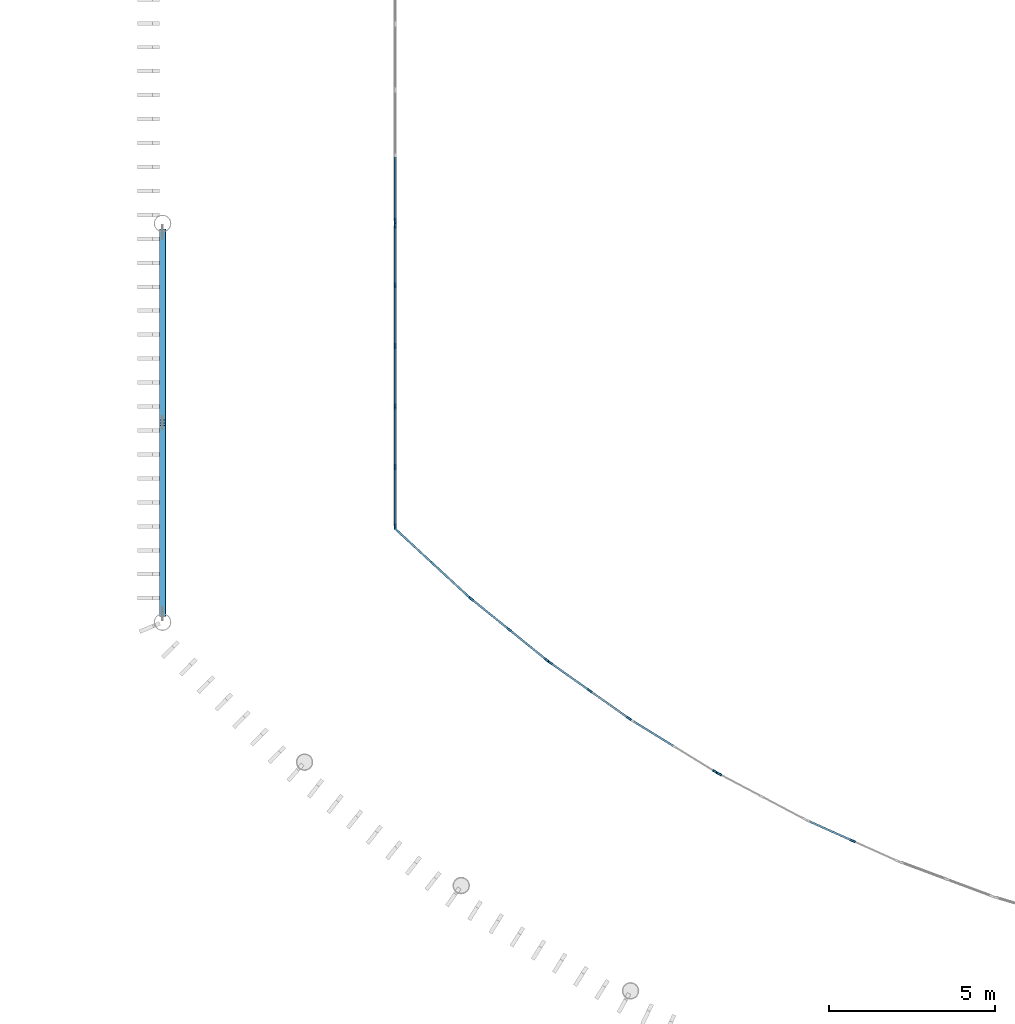
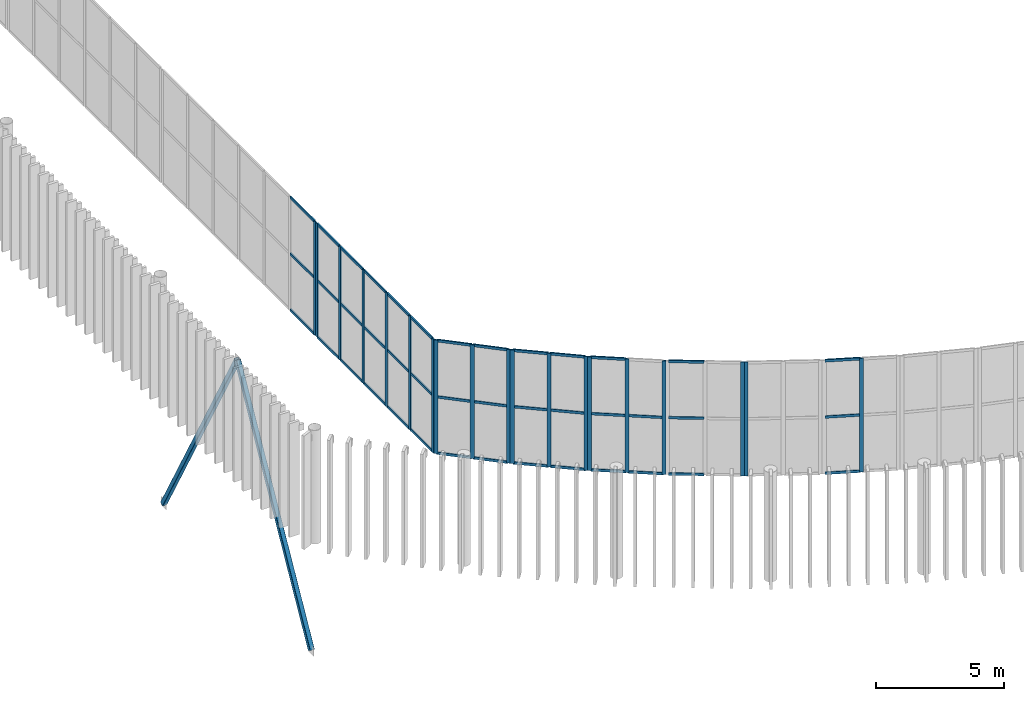
# One storey, part 34 of 170: 62 members, 8 elements without a shape of their own.
"""IFC4 building model written with IfcOpenShell, lengths in metres."""

from ifc_helpers import new_model, si_unit, direction, frame, origin, origin_2d, place, context, subcontext, project, spatial, rectangle, hollow_rectangle, extrude, material, layer, layer_set, material_profile, profile_set, type_object, element, aggregate, save


model = new_model("IFC4")

# Units and contexts
model_context = context("Model", 3, precision=1e-05, world=origin(), true_north=direction((0.0, 1.0)))
body_context = subcontext(model_context, "Body", "Model", "MODEL_VIEW")
ifc_project = project(units=[si_unit("LENGTHUNIT", "METRE"), si_unit("AREAUNIT", "SQUARE_METRE"), si_unit("VOLUMEUNIT", "CUBIC_METRE"), si_unit("PLANEANGLEUNIT", "RADIAN"), si_unit("MASSUNIT", "GRAM", prefix="KILO")], contexts=[model_context])

# Site, building, storey
site_placement = place(None, origin())
site = spatial("IfcSite", under=ifc_project, at=site_placement, CompositionType="ELEMENT")
building_placement = place(site_placement, origin())
building = spatial("IfcBuilding", under=site, at=building_placement, Name="Ravi Spectrum Wholesale Market", CompositionType="ELEMENT")
storey_placement = place(building_placement, frame((0.0, 0.0, 5.39990234375)))
storey = spatial("IfcBuildingStorey", under=building, at=storey_placement, Name="L01", CompositionType="ELEMENT", Elevation=5.39990234375)

# Curtain wall, members
ifc_material_1 = material(Name="Aluminium 6063-T6", Category="aluminium")
ifc_layer = layer(ifc_material_1, 0.14990234375)
ifc_layer_set = layer_set([ifc_layer], Name="Aluminium 6063-T6")
curtain_wall_type = type_object("IfcCurtainWallType", Name="Curtain wall 150", PredefinedType="NOTDEFINED", material=ifc_layer_set)
curtain_wall_1_placement = place(storey_placement, origin())
curtain_wall_1 = element("IfcCurtainWall", 1, at=curtain_wall_1_placement, inside=storey, type_object=curtain_wall_type, Name="H1-CW-L01-001", PredefinedType="NOTDEFINED")
ifc_material_2 = material(Name="Aluminium 6063-T6", Category="aluminium")
ifc_material_profile_1 = material_profile(ifc_material_2, rectangle(XDim=0.06005859375, YDim=0.159912109375, at=origin_2d()))
ifc_profile_set_1 = profile_set([ifc_material_profile_1], Name="Aluminium 6063-T6")
member_type_1 = type_object("IfcMemberType", Name="Mullion 60 x 160", PredefinedType="MULLION", material=ifc_profile_set_1)
member_1_placement = place(storey_placement, frame((37.0, 32.88037109375, 0.0), z_axis=(0.0, 0.0, 1.0), x_axis=(-1.0, 0.0, 0.0)))
member_1 = element("IfcMember", 2, at=member_1_placement, type_object=member_type_1, Name="H1-CW-L01-001 mullion 1", PredefinedType="MULLION", context=body_context, shape_type="SweptSolid", body=[
    extrude(rectangle(XDim=0.06005859375, YDim=0.159912109375, at=origin_2d()), origin(), (0.0, 0.0, 1.0), 5.400146484375),
])
member_2_placement = place(storey_placement, frame((37.0, 34.67236328125, 0.0), z_axis=(0.0, 0.0, 1.0), x_axis=(-1.0, 0.0, 0.0)))
member_2 = element("IfcMember", 3, at=member_2_placement, type_object=member_type_1, Name="H1-CW-L01-001 mullion 2", PredefinedType="MULLION", context=body_context, shape_type="SweptSolid", body=[
    extrude(rectangle(XDim=0.06005859375, YDim=0.159912109375, at=origin_2d()), origin(), (0.0, 0.0, 1.0), 5.400146484375),
])
member_3_placement = place(storey_placement, frame((37.0, 36.494140625, 0.0), z_axis=(0.0, 0.0, 1.0), x_axis=(-1.0, 0.0, 0.0)))
member_3 = element("IfcMember", 4, at=member_3_placement, type_object=member_type_1, Name="H1-CW-L01-001 mullion 3", PredefinedType="MULLION", context=body_context, shape_type="SweptSolid", body=[
    extrude(rectangle(XDim=0.06005859375, YDim=0.159912109375, at=origin_2d()), origin(), (0.0, 0.0, 1.0), 5.400146484375),
])
member_4_placement = place(storey_placement, frame((37.0, 38.316162109375, 0.0), z_axis=(0.0, 0.0, 1.0), x_axis=(-1.0, 0.0, 0.0)))
member_4 = element("IfcMember", 5, at=member_4_placement, type_object=member_type_1, Name="H1-CW-L01-001 mullion 4", PredefinedType="MULLION", context=body_context, shape_type="SweptSolid", body=[
    extrude(rectangle(XDim=0.06005859375, YDim=0.159912109375, at=origin_2d()), origin(), (0.0, 0.0, 1.0), 5.400146484375),
])
member_5_placement = place(storey_placement, frame((37.0, 40.13818359375, 0.0), z_axis=(0.0, 0.0, 1.0), x_axis=(-1.0, 0.0, 0.0)))
member_5 = element("IfcMember", 6, at=member_5_placement, type_object=member_type_1, Name="H1-CW-L01-001 mullion 5", PredefinedType="MULLION", context=body_context, shape_type="SweptSolid", body=[
    extrude(rectangle(XDim=0.06005859375, YDim=0.159912109375, at=origin_2d()), origin(), (0.0, 0.0, 1.0), 5.400146484375),
])
member_6_placement = place(storey_placement, frame((37.0, 41.929931640625, 0.0), z_axis=(0.0, 0.0, 1.0), x_axis=(-1.0, 0.0, 0.0)))
member_6 = element("IfcMember", 7, at=member_6_placement, type_object=member_type_1, Name="H1-CW-L01-001 mullion 6", PredefinedType="MULLION", context=body_context, shape_type="SweptSolid", body=[
    extrude(rectangle(XDim=0.06005859375, YDim=0.159912109375, at=origin_2d()), origin(), (0.0, 0.0, 1.0), 5.400146484375),
])

# Curtain wall, member
curtain_wall_2_placement = place(storey_placement, origin())
curtain_wall_2 = element("IfcCurtainWall", 8, at=curtain_wall_2_placement, inside=storey, type_object=curtain_wall_type, Name="H1-CW-L01-002", PredefinedType="NOTDEFINED")
member_7_placement = place(storey_placement, frame((37.0, 42.070068359375, 0.0), z_axis=(0.0, 0.0, 1.0), x_axis=(-1.0, 0.0, 0.0)))
member_7 = element("IfcMember", 9, at=member_7_placement, type_object=member_type_1, Name="H1-CW-L01-002 mullion 1", PredefinedType="MULLION", context=body_context, shape_type="SweptSolid", body=[
    extrude(rectangle(XDim=0.06005859375, YDim=0.159912109375, at=origin_2d()), origin(), (0.0, 0.0, 1.0), 5.400146484375),
])

# Curtain wall, members
curtain_wall_3_placement = place(storey_placement, origin())
curtain_wall_3 = element("IfcCurtainWall", 10, at=curtain_wall_3_placement, inside=storey, type_object=curtain_wall_type, Name="H1-CW-L01-029", PredefinedType="NOTDEFINED")
member_8_placement = place(storey_placement, frame((37.051513671875, 32.7626953125, 0.0), z_axis=(0.0, 0.0, 1.0), x_axis=(0.678668834663, 0.734444424621, 0.0)))
member_8 = element("IfcMember", 11, at=member_8_placement, type_object=member_type_1, Name="H1-CW-L01-029 mullion 1", PredefinedType="MULLION", context=body_context, shape_type="SweptSolid", body=[
    extrude(rectangle(XDim=0.06005859375, YDim=0.159912109375, at=origin_2d()), origin(), (0.0, 0.0, 1.0), 5.400146484375),
])
member_9_placement = place(storey_placement, frame((38.119384765625, 31.77587890625, 0.0), z_axis=(0.0, 0.0, 1.0), x_axis=(0.678668834663, 0.734444424621, 0.0)))
member_9 = element("IfcMember", 12, at=member_9_placement, type_object=member_type_1, Name="H1-CW-L01-029 mullion 2", PredefinedType="MULLION", context=body_context, shape_type="SweptSolid", body=[
    extrude(rectangle(XDim=0.06005859375, YDim=0.159912109375, at=origin_2d()), origin(), (0.0, 0.0, 1.0), 5.400146484375),
])
member_10_placement = place(storey_placement, frame((39.187255859375, 30.7890625, 0.0), z_axis=(0.0, 0.0, 1.0), x_axis=(0.678668834663, 0.734444424621, 0.0)))
member_10 = element("IfcMember", 13, at=member_10_placement, type_object=member_type_1, Name="H1-CW-L01-029 mullion 3", PredefinedType="MULLION", context=body_context, shape_type="SweptSolid", body=[
    extrude(rectangle(XDim=0.06005859375, YDim=0.159912109375, at=origin_2d()), origin(), (0.0, 0.0, 1.0), 5.400146484375),
])

curtain_wall_4_placement = place(storey_placement, origin())
curtain_wall_4 = element("IfcCurtainWall", 14, at=curtain_wall_4_placement, inside=storey, type_object=curtain_wall_type, Name="H1-CW-L01-030", PredefinedType="NOTDEFINED")
member_11_placement = place(storey_placement, frame((39.29296875, 30.697509765625, 0.0), z_axis=(0.0, 0.0, 1.0), x_axis=(0.629635182408, 0.776890942844, 0.0)))
member_11 = element("IfcMember", 15, at=member_11_placement, type_object=member_type_1, Name="H1-CW-L01-030 mullion 1", PredefinedType="MULLION", context=body_context, shape_type="SweptSolid", body=[
    extrude(rectangle(XDim=0.06005859375, YDim=0.159912109375, at=origin_2d()), origin(), (0.0, 0.0, 1.0), 5.400146484375),
])
member_12_placement = place(storey_placement, frame((40.422607421875, 29.781982421875, 0.0), z_axis=(0.0, 0.0, 1.0), x_axis=(0.629635182408, 0.776890942844, 0.0)))
member_12 = element("IfcMember", 16, at=member_12_placement, type_object=member_type_1, Name="H1-CW-L01-030 mullion 2", PredefinedType="MULLION", context=body_context, shape_type="SweptSolid", body=[
    extrude(rectangle(XDim=0.06005859375, YDim=0.159912109375, at=origin_2d()), origin(), (0.0, 0.0, 1.0), 5.400146484375),
])
member_13_placement = place(storey_placement, frame((41.55224609375, 28.866455078125, 0.0), z_axis=(0.0, 0.0, 1.0), x_axis=(0.629635182408, 0.776890942844, 0.0)))
member_13 = element("IfcMember", 17, at=member_13_placement, type_object=member_type_1, Name="H1-CW-L01-030 mullion 3", PredefinedType="MULLION", context=body_context, shape_type="SweptSolid", body=[
    extrude(rectangle(XDim=0.06005859375, YDim=0.159912109375, at=origin_2d()), origin(), (0.0, 0.0, 1.0), 5.400146484375),
])

curtain_wall_5_placement = place(storey_placement, origin())
curtain_wall_5 = element("IfcCurtainWall", 18, at=curtain_wall_5_placement, inside=storey, type_object=curtain_wall_type, Name="H1-CW-L01-031", PredefinedType="NOTDEFINED")
member_14_placement = place(storey_placement, frame((41.663818359375, 28.781982421875, 0.0), z_axis=(0.0, 0.0, 1.0), x_axis=(0.57795328048, 0.816069853372, 0.0)))
member_14 = element("IfcMember", 19, at=member_14_placement, type_object=member_type_1, Name="H1-CW-L01-031 mullion 1", PredefinedType="MULLION", context=body_context, shape_type="SweptSolid", body=[
    extrude(rectangle(XDim=0.06005859375, YDim=0.159912109375, at=origin_2d()), origin(), (0.0, 0.0, 1.0), 5.400146484375),
])
member_15_placement = place(storey_placement, frame((42.8505859375, 27.941650390625, 0.0), z_axis=(0.0, 0.0, 1.0), x_axis=(0.57795328048, 0.816069853372, 0.0)))
member_15 = element("IfcMember", 20, at=member_15_placement, type_object=member_type_1, Name="H1-CW-L01-031 mullion 2", PredefinedType="MULLION", context=body_context, shape_type="SweptSolid", body=[
    extrude(rectangle(XDim=0.06005859375, YDim=0.159912109375, at=origin_2d()), origin(), (0.0, 0.0, 1.0), 5.400146484375),
])
member_16_placement = place(storey_placement, frame((44.037109375, 27.101318359375, 0.0), z_axis=(0.0, 0.0, 1.0), x_axis=(0.57795328048, 0.816069853372, 0.0)))
member_16 = element("IfcMember", 21, at=member_16_placement, type_object=member_type_1, Name="H1-CW-L01-031 mullion 3", PredefinedType="MULLION", context=body_context, shape_type="SweptSolid", body=[
    extrude(rectangle(XDim=0.06005859375, YDim=0.159912109375, at=origin_2d()), origin(), (0.0, 0.0, 1.0), 5.400146484375),
])

# Curtain wall, member
curtain_wall_6_placement = place(storey_placement, origin())
curtain_wall_6 = element("IfcCurtainWall", 22, at=curtain_wall_6_placement, inside=storey, type_object=curtain_wall_type, Name="H1-CW-L01-032", PredefinedType="NOTDEFINED")
member_17_placement = place(storey_placement, frame((46.631103515625, 25.500732421875, 0.0), z_axis=(0.0, 0.0, 1.0), x_axis=(0.523840503785, 0.851816369057, 0.0)))
member_17 = element("IfcMember", 23, at=member_17_placement, type_object=member_type_1, Name="H1-CW-L01-032 mullion 3", PredefinedType="MULLION", context=body_context, shape_type="SweptSolid", body=[
    extrude(rectangle(XDim=0.06005859375, YDim=0.159912109375, at=origin_2d()), origin(), (0.0, 0.0, 1.0), 5.400146484375),
])

curtain_wall_7_placement = place(storey_placement, origin())
curtain_wall_7 = element("IfcCurtainWall", 24, at=curtain_wall_7_placement, inside=storey, type_object=curtain_wall_type, Name="H1-CW-L01-033", PredefinedType="NOTDEFINED")
member_18_placement = place(storey_placement, frame((46.75244140625, 25.431396484375, 0.0), z_axis=(0.0, 0.0, 1.0), x_axis=(0.467524450919, 0.883980139931, 0.0)))
member_18 = element("IfcMember", 25, at=member_18_placement, type_object=member_type_1, Name="H1-CW-L01-033 mullion 1", PredefinedType="MULLION", context=body_context, shape_type="SweptSolid", body=[
    extrude(rectangle(XDim=0.06005859375, YDim=0.159912109375, at=origin_2d()), origin(), (0.0, 0.0, 1.0), 5.400146484375),
])
aggregate(curtain_wall_7, [member_18])

curtain_wall_8_placement = place(storey_placement, origin())
curtain_wall_8 = element("IfcCurtainWall", 26, at=curtain_wall_8_placement, inside=storey, type_object=curtain_wall_type, Name="H1-CW-L01-034", PredefinedType="NOTDEFINED")
member_19_placement = place(storey_placement, frame((50.775634765625, 23.415283203125, 0.0), z_axis=(0.0, 0.0, 1.0), x_axis=(0.409241987534, 0.912425885012, 0.0)))
member_19 = element("IfcMember", 27, at=member_19_placement, type_object=member_type_1, Name="H1-CW-L01-034 mullion 2", PredefinedType="MULLION", context=body_context, shape_type="SweptSolid", body=[
    extrude(rectangle(XDim=0.06005859375, YDim=0.159912109375, at=origin_2d()), origin(), (0.0, 0.0, 1.0), 5.400146484375),
])

# Members
ifc_material_3 = material(Name="Steel S355", Category="steel")
ifc_material_profile_2 = material_profile(ifc_material_3, hollow_rectangle(XDim=0.199951171875, YDim=0.199951171875, WallThickness=0.008056640625, InnerFilletRadius=0.008056640625, OuterFilletRadius=0.01611328125, at=origin_2d()))
ifc_profile_set_2 = profile_set([ifc_material_profile_2], Name="Steel S355")
member_type_2 = type_object("IfcMemberType", Name="SHS 200x200x8 brace", PredefinedType="BRACE", material=ifc_profile_set_2)
for number, where, z_axis, x_axis, name in (
    (28, (30.0, 30.25390625, -5.350830078125), (0.0, 0.487151805571, 0.873317306784), (-1.0, 0.0, 0.0), "H1-MB-L01-001"),
    (29, (30.0, 41.74609375, -5.350830078125), (0.0, -0.487151805571, 0.873317306784), (1.0, 0.0, 0.0), "H1-MB-L01-002"),
):
    element("IfcMember", number, at=place(storey_placement, frame(where, z_axis=z_axis, x_axis=x_axis)), inside=storey, type_object=member_type_2, Name=name, PredefinedType="BRACE", context=body_context, shape_type="SweptSolid", body=[
        extrude(hollow_rectangle(XDim=0.199951171875, YDim=0.199951171875, WallThickness=0.008056640625, InnerFilletRadius=0.008056640625, OuterFilletRadius=0.01611328125, at=origin_2d()), origin(), (0.0, 0.0, 1.0), 11.795166015625),
    ])

# Member
ifc_material_4 = material(Name="Aluminium 6063-T6", Category="aluminium")
ifc_material_profile_3 = material_profile(ifc_material_4, rectangle(XDim=0.06005859375, YDim=0.1201171875, at=origin_2d()))
ifc_profile_set_3 = profile_set([ifc_material_profile_3], Name="Aluminium 6063-T6")
member_type_3 = type_object("IfcMemberType", Name="Transom 60 x 120", PredefinedType="USERDEFINED", material=ifc_profile_set_3)
member_20_placement = place(storey_placement, frame((37.0, 32.910400390625, 0.030029296875), z_axis=(0.0, 1.0, 0.0), x_axis=(-1.0, 0.0, 0.0)))
member_20 = element("IfcMember", 30, at=member_20_placement, type_object=member_type_3, Name="H1-CW-L01-001 transom 1.1", ObjectType="TRANSOM", PredefinedType="USERDEFINED", context=body_context, shape_type="SweptSolid", body=[
    extrude(rectangle(XDim=0.06005859375, YDim=0.1201171875, at=origin_2d()), origin(), (0.0, 0.0, 1.0), 1.73193359375),
])

member_21_placement = place(storey_placement, frame((37.0, 32.910400390625, 2.7001953125), z_axis=(0.0, 1.0, 0.0), x_axis=(-1.0, 0.0, 0.0)))
member_21 = element("IfcMember", 31, at=member_21_placement, type_object=member_type_3, Name="H1-CW-L01-001 transom 1.2", ObjectType="TRANSOM", PredefinedType="USERDEFINED", context=body_context, shape_type="SweptSolid", body=[
    extrude(rectangle(XDim=0.06005859375, YDim=0.1201171875, at=origin_2d()), origin(), (0.0, 0.0, 1.0), 1.73193359375),
])

member_22_placement = place(storey_placement, frame((37.0, 32.910400390625, 5.3701171875), z_axis=(0.0, 1.0, 0.0), x_axis=(-1.0, 0.0, 0.0)))
member_22 = element("IfcMember", 32, at=member_22_placement, type_object=member_type_3, Name="H1-CW-L01-001 transom 1.3", ObjectType="TRANSOM", PredefinedType="USERDEFINED", context=body_context, shape_type="SweptSolid", body=[
    extrude(rectangle(XDim=0.06005859375, YDim=0.1201171875, at=origin_2d()), origin(), (0.0, 0.0, 1.0), 1.73193359375),
])

member_23_placement = place(storey_placement, frame((37.0, 34.7021484375, 0.030029296875), z_axis=(0.0, 1.0, 0.0), x_axis=(-1.0, 0.0, 0.0)))
member_23 = element("IfcMember", 33, at=member_23_placement, type_object=member_type_3, Name="H1-CW-L01-001 transom 2.1", ObjectType="TRANSOM", PredefinedType="USERDEFINED", context=body_context, shape_type="SweptSolid", body=[
    extrude(rectangle(XDim=0.06005859375, YDim=0.1201171875, at=origin_2d()), origin(), (0.0, 0.0, 1.0), 1.761962890625),
])

member_24_placement = place(storey_placement, frame((37.0, 34.7021484375, 2.7001953125), z_axis=(0.0, 1.0, 0.0), x_axis=(-1.0, 0.0, 0.0)))
member_24 = element("IfcMember", 34, at=member_24_placement, type_object=member_type_3, Name="H1-CW-L01-001 transom 2.2", ObjectType="TRANSOM", PredefinedType="USERDEFINED", context=body_context, shape_type="SweptSolid", body=[
    extrude(rectangle(XDim=0.06005859375, YDim=0.1201171875, at=origin_2d()), origin(), (0.0, 0.0, 1.0), 1.761962890625),
])

member_25_placement = place(storey_placement, frame((37.0, 34.7021484375, 5.3701171875), z_axis=(0.0, 1.0, 0.0), x_axis=(-1.0, 0.0, 0.0)))
member_25 = element("IfcMember", 35, at=member_25_placement, type_object=member_type_3, Name="H1-CW-L01-001 transom 2.3", ObjectType="TRANSOM", PredefinedType="USERDEFINED", context=body_context, shape_type="SweptSolid", body=[
    extrude(rectangle(XDim=0.06005859375, YDim=0.1201171875, at=origin_2d()), origin(), (0.0, 0.0, 1.0), 1.761962890625),
])

member_26_placement = place(storey_placement, frame((37.0, 36.524169921875, 0.030029296875), z_axis=(0.0, 1.0, 0.0), x_axis=(-1.0, 0.0, 0.0)))
member_26 = element("IfcMember", 36, at=member_26_placement, type_object=member_type_3, Name="H1-CW-L01-001 transom 3.1", ObjectType="TRANSOM", PredefinedType="USERDEFINED", context=body_context, shape_type="SweptSolid", body=[
    extrude(rectangle(XDim=0.06005859375, YDim=0.1201171875, at=origin_2d()), origin(), (0.0, 0.0, 1.0), 1.761962890625),
])

member_27_placement = place(storey_placement, frame((37.0, 36.524169921875, 2.7001953125), z_axis=(0.0, 1.0, 0.0), x_axis=(-1.0, 0.0, 0.0)))
member_27 = element("IfcMember", 37, at=member_27_placement, type_object=member_type_3, Name="H1-CW-L01-001 transom 3.2", ObjectType="TRANSOM", PredefinedType="USERDEFINED", context=body_context, shape_type="SweptSolid", body=[
    extrude(rectangle(XDim=0.06005859375, YDim=0.1201171875, at=origin_2d()), origin(), (0.0, 0.0, 1.0), 1.761962890625),
])

member_28_placement = place(storey_placement, frame((37.0, 36.524169921875, 5.3701171875), z_axis=(0.0, 1.0, 0.0), x_axis=(-1.0, 0.0, 0.0)))
member_28 = element("IfcMember", 38, at=member_28_placement, type_object=member_type_3, Name="H1-CW-L01-001 transom 3.3", ObjectType="TRANSOM", PredefinedType="USERDEFINED", context=body_context, shape_type="SweptSolid", body=[
    extrude(rectangle(XDim=0.06005859375, YDim=0.1201171875, at=origin_2d()), origin(), (0.0, 0.0, 1.0), 1.761962890625),
])

member_29_placement = place(storey_placement, frame((37.0, 38.34619140625, 0.030029296875), z_axis=(0.0, 1.0, 0.0), x_axis=(-1.0, 0.0, 0.0)))
member_29 = element("IfcMember", 39, at=member_29_placement, type_object=member_type_3, Name="H1-CW-L01-001 transom 4.1", ObjectType="TRANSOM", PredefinedType="USERDEFINED", context=body_context, shape_type="SweptSolid", body=[
    extrude(rectangle(XDim=0.06005859375, YDim=0.1201171875, at=origin_2d()), origin(), (0.0, 0.0, 1.0), 1.761962890625),
])

member_30_placement = place(storey_placement, frame((37.0, 38.34619140625, 2.7001953125), z_axis=(0.0, 1.0, 0.0), x_axis=(-1.0, 0.0, 0.0)))
member_30 = element("IfcMember", 40, at=member_30_placement, type_object=member_type_3, Name="H1-CW-L01-001 transom 4.2", ObjectType="TRANSOM", PredefinedType="USERDEFINED", context=body_context, shape_type="SweptSolid", body=[
    extrude(rectangle(XDim=0.06005859375, YDim=0.1201171875, at=origin_2d()), origin(), (0.0, 0.0, 1.0), 1.761962890625),
])

member_31_placement = place(storey_placement, frame((37.0, 38.34619140625, 5.3701171875), z_axis=(0.0, 1.0, 0.0), x_axis=(-1.0, 0.0, 0.0)))
member_31 = element("IfcMember", 41, at=member_31_placement, type_object=member_type_3, Name="H1-CW-L01-001 transom 4.3", ObjectType="TRANSOM", PredefinedType="USERDEFINED", context=body_context, shape_type="SweptSolid", body=[
    extrude(rectangle(XDim=0.06005859375, YDim=0.1201171875, at=origin_2d()), origin(), (0.0, 0.0, 1.0), 1.761962890625),
])

member_32_placement = place(storey_placement, frame((37.0, 40.16796875, 0.030029296875), z_axis=(0.0, 1.0, 0.0), x_axis=(-1.0, 0.0, 0.0)))
member_32 = element("IfcMember", 42, at=member_32_placement, type_object=member_type_3, Name="H1-CW-L01-001 transom 5.1", ObjectType="TRANSOM", PredefinedType="USERDEFINED", context=body_context, shape_type="SweptSolid", body=[
    extrude(rectangle(XDim=0.06005859375, YDim=0.1201171875, at=origin_2d()), origin(), (0.0, 0.0, 1.0), 1.73193359375),
])

member_33_placement = place(storey_placement, frame((37.0, 40.16796875, 2.7001953125), z_axis=(0.0, 1.0, 0.0), x_axis=(-1.0, 0.0, 0.0)))
member_33 = element("IfcMember", 43, at=member_33_placement, type_object=member_type_3, Name="H1-CW-L01-001 transom 5.2", ObjectType="TRANSOM", PredefinedType="USERDEFINED", context=body_context, shape_type="SweptSolid", body=[
    extrude(rectangle(XDim=0.06005859375, YDim=0.1201171875, at=origin_2d()), origin(), (0.0, 0.0, 1.0), 1.73193359375),
])

member_34_placement = place(storey_placement, frame((37.0, 40.16796875, 5.3701171875), z_axis=(0.0, 1.0, 0.0), x_axis=(-1.0, 0.0, 0.0)))
member_34 = element("IfcMember", 44, at=member_34_placement, type_object=member_type_3, Name="H1-CW-L01-001 transom 5.3", ObjectType="TRANSOM", PredefinedType="USERDEFINED", context=body_context, shape_type="SweptSolid", body=[
    extrude(rectangle(XDim=0.06005859375, YDim=0.1201171875, at=origin_2d()), origin(), (0.0, 0.0, 1.0), 1.73193359375),
])

aggregate(curtain_wall_1, [member_1, member_2, member_3, member_4, member_5, member_6, member_20, member_21, member_22, member_23, member_24, member_25, member_26, member_27, member_28, member_29, member_30, member_31, member_32, member_33, member_34])

member_35_placement = place(storey_placement, frame((37.0, 42.10009765625, 0.030029296875), z_axis=(0.0, 1.0, 0.0), x_axis=(-1.0, 0.0, 0.0)))
member_35 = element("IfcMember", 45, at=member_35_placement, type_object=member_type_3, Name="H1-CW-L01-002 transom 1.1", ObjectType="TRANSOM", PredefinedType="USERDEFINED", context=body_context, shape_type="SweptSolid", body=[
    extrude(rectangle(XDim=0.06005859375, YDim=0.1201171875, at=origin_2d()), origin(), (0.0, 0.0, 1.0), 1.896484375),
])

member_36_placement = place(storey_placement, frame((37.0, 42.10009765625, 2.7001953125), z_axis=(0.0, 1.0, 0.0), x_axis=(-1.0, 0.0, 0.0)))
member_36 = element("IfcMember", 46, at=member_36_placement, type_object=member_type_3, Name="H1-CW-L01-002 transom 1.2", ObjectType="TRANSOM", PredefinedType="USERDEFINED", context=body_context, shape_type="SweptSolid", body=[
    extrude(rectangle(XDim=0.06005859375, YDim=0.1201171875, at=origin_2d()), origin(), (0.0, 0.0, 1.0), 1.896484375),
])

member_37_placement = place(storey_placement, frame((37.0, 42.10009765625, 5.3701171875), z_axis=(0.0, 1.0, 0.0), x_axis=(-1.0, 0.0, 0.0)))
member_37 = element("IfcMember", 47, at=member_37_placement, type_object=member_type_3, Name="H1-CW-L01-002 transom 1.3", ObjectType="TRANSOM", PredefinedType="USERDEFINED", context=body_context, shape_type="SweptSolid", body=[
    extrude(rectangle(XDim=0.06005859375, YDim=0.1201171875, at=origin_2d()), origin(), (0.0, 0.0, 1.0), 1.896484375),
])

aggregate(curtain_wall_2, [member_7, member_35, member_36, member_37])

member_38_placement = place(storey_placement, frame((37.073486328125, 32.742431640625, 0.030029296875), z_axis=(0.734487798578, -0.678621893059, 0.0), x_axis=(0.678621893059, 0.734487798578, 0.0)))
member_38 = element("IfcMember", 48, at=member_38_placement, type_object=member_type_3, Name="H1-CW-L01-029 transom 1.1", ObjectType="TRANSOM", PredefinedType="USERDEFINED", context=body_context, shape_type="SweptSolid", body=[
    extrude(rectangle(XDim=0.06005859375, YDim=0.1201171875, at=origin_2d()), origin(), (0.0, 0.0, 1.0), 1.39404296875),
])

member_39_placement = place(storey_placement, frame((37.073486328125, 32.742431640625, 2.7001953125), z_axis=(0.734487798578, -0.678621893059, 0.0), x_axis=(0.678621893059, 0.734487798578, 0.0)))
member_39 = element("IfcMember", 49, at=member_39_placement, type_object=member_type_3, Name="H1-CW-L01-029 transom 1.2", ObjectType="TRANSOM", PredefinedType="USERDEFINED", context=body_context, shape_type="SweptSolid", body=[
    extrude(rectangle(XDim=0.06005859375, YDim=0.1201171875, at=origin_2d()), origin(), (0.0, 0.0, 1.0), 1.39404296875),
])

member_40_placement = place(storey_placement, frame((37.073486328125, 32.742431640625, 5.3701171875), z_axis=(0.734487798578, -0.678621893059, 0.0), x_axis=(0.678621893059, 0.734487798578, 0.0)))
member_40 = element("IfcMember", 50, at=member_40_placement, type_object=member_type_3, Name="H1-CW-L01-029 transom 1.3", ObjectType="TRANSOM", PredefinedType="USERDEFINED", context=body_context, shape_type="SweptSolid", body=[
    extrude(rectangle(XDim=0.06005859375, YDim=0.1201171875, at=origin_2d()), origin(), (0.0, 0.0, 1.0), 1.39404296875),
])

member_41_placement = place(storey_placement, frame((38.141357421875, 31.755615234375, 0.030029296875), z_axis=(0.734487798578, -0.678621893059, 0.0), x_axis=(0.678621893059, 0.734487798578, 0.0)))
member_41 = element("IfcMember", 51, at=member_41_placement, type_object=member_type_3, Name="H1-CW-L01-029 transom 2.1", ObjectType="TRANSOM", PredefinedType="USERDEFINED", context=body_context, shape_type="SweptSolid", body=[
    extrude(rectangle(XDim=0.06005859375, YDim=0.1201171875, at=origin_2d()), origin(), (0.0, 0.0, 1.0), 1.39404296875),
])

member_42_placement = place(storey_placement, frame((38.141357421875, 31.755615234375, 2.7001953125), z_axis=(0.734487798578, -0.678621893059, 0.0), x_axis=(0.678621893059, 0.734487798578, 0.0)))
member_42 = element("IfcMember", 52, at=member_42_placement, type_object=member_type_3, Name="H1-CW-L01-029 transom 2.2", ObjectType="TRANSOM", PredefinedType="USERDEFINED", context=body_context, shape_type="SweptSolid", body=[
    extrude(rectangle(XDim=0.06005859375, YDim=0.1201171875, at=origin_2d()), origin(), (0.0, 0.0, 1.0), 1.39404296875),
])

member_43_placement = place(storey_placement, frame((38.141357421875, 31.755615234375, 5.3701171875), z_axis=(0.734487798578, -0.678621893059, 0.0), x_axis=(0.678621893059, 0.734487798578, 0.0)))
member_43 = element("IfcMember", 53, at=member_43_placement, type_object=member_type_3, Name="H1-CW-L01-029 transom 2.3", ObjectType="TRANSOM", PredefinedType="USERDEFINED", context=body_context, shape_type="SweptSolid", body=[
    extrude(rectangle(XDim=0.06005859375, YDim=0.1201171875, at=origin_2d()), origin(), (0.0, 0.0, 1.0), 1.39404296875),
])

aggregate(curtain_wall_3, [member_8, member_9, member_10, member_38, member_39, member_40, member_41, member_42, member_43])

member_44_placement = place(storey_placement, frame((39.31640625, 30.6787109375, 0.030029296875), z_axis=(0.776906240638, -0.629616306378, 0.0), x_axis=(0.629616306378, 0.776906240638, 0.0)))
member_44 = element("IfcMember", 54, at=member_44_placement, type_object=member_type_3, Name="H1-CW-L01-030 transom 1.1", ObjectType="TRANSOM", PredefinedType="USERDEFINED", context=body_context, shape_type="SweptSolid", body=[
    extrude(rectangle(XDim=0.06005859375, YDim=0.1201171875, at=origin_2d()), origin(), (0.0, 0.0, 1.0), 1.39404296875),
])

member_45_placement = place(storey_placement, frame((39.31640625, 30.6787109375, 2.7001953125), z_axis=(0.776906240638, -0.629616306378, 0.0), x_axis=(0.629616306378, 0.776906240638, 0.0)))
member_45 = element("IfcMember", 55, at=member_45_placement, type_object=member_type_3, Name="H1-CW-L01-030 transom 1.2", ObjectType="TRANSOM", PredefinedType="USERDEFINED", context=body_context, shape_type="SweptSolid", body=[
    extrude(rectangle(XDim=0.06005859375, YDim=0.1201171875, at=origin_2d()), origin(), (0.0, 0.0, 1.0), 1.39404296875),
])

member_46_placement = place(storey_placement, frame((39.31640625, 30.6787109375, 5.3701171875), z_axis=(0.776906240638, -0.629616306378, 0.0), x_axis=(0.629616306378, 0.776906240638, 0.0)))
member_46 = element("IfcMember", 56, at=member_46_placement, type_object=member_type_3, Name="H1-CW-L01-030 transom 1.3", ObjectType="TRANSOM", PredefinedType="USERDEFINED", context=body_context, shape_type="SweptSolid", body=[
    extrude(rectangle(XDim=0.06005859375, YDim=0.1201171875, at=origin_2d()), origin(), (0.0, 0.0, 1.0), 1.39404296875),
])

member_47_placement = place(storey_placement, frame((40.446044921875, 29.76318359375, 0.030029296875), z_axis=(0.776906240638, -0.629616306378, 0.0), x_axis=(0.629616306378, 0.776906240638, 0.0)))
member_47 = element("IfcMember", 57, at=member_47_placement, type_object=member_type_3, Name="H1-CW-L01-030 transom 2.1", ObjectType="TRANSOM", PredefinedType="USERDEFINED", context=body_context, shape_type="SweptSolid", body=[
    extrude(rectangle(XDim=0.06005859375, YDim=0.1201171875, at=origin_2d()), origin(), (0.0, 0.0, 1.0), 1.39404296875),
])

member_48_placement = place(storey_placement, frame((40.446044921875, 29.76318359375, 2.7001953125), z_axis=(0.776906240638, -0.629616306378, 0.0), x_axis=(0.629616306378, 0.776906240638, 0.0)))
member_48 = element("IfcMember", 58, at=member_48_placement, type_object=member_type_3, Name="H1-CW-L01-030 transom 2.2", ObjectType="TRANSOM", PredefinedType="USERDEFINED", context=body_context, shape_type="SweptSolid", body=[
    extrude(rectangle(XDim=0.06005859375, YDim=0.1201171875, at=origin_2d()), origin(), (0.0, 0.0, 1.0), 1.39404296875),
])

member_49_placement = place(storey_placement, frame((40.446044921875, 29.76318359375, 5.3701171875), z_axis=(0.776906240638, -0.629616306378, 0.0), x_axis=(0.629616306378, 0.776906240638, 0.0)))
member_49 = element("IfcMember", 59, at=member_49_placement, type_object=member_type_3, Name="H1-CW-L01-030 transom 2.3", ObjectType="TRANSOM", PredefinedType="USERDEFINED", context=body_context, shape_type="SweptSolid", body=[
    extrude(rectangle(XDim=0.06005859375, YDim=0.1201171875, at=origin_2d()), origin(), (0.0, 0.0, 1.0), 1.39404296875),
])

aggregate(curtain_wall_4, [member_11, member_12, member_13, member_44, member_45, member_46, member_47, member_48, member_49])

member_50_placement = place(storey_placement, frame((41.688232421875, 28.7646484375, 0.030029296875), z_axis=(0.816093311487, -0.577920156203, 0.0), x_axis=(0.577920156203, 0.816093311487, 0.0)))
member_50 = element("IfcMember", 60, at=member_50_placement, type_object=member_type_3, Name="H1-CW-L01-031 transom 1.1", ObjectType="TRANSOM", PredefinedType="USERDEFINED", context=body_context, shape_type="SweptSolid", body=[
    extrude(rectangle(XDim=0.06005859375, YDim=0.1201171875, at=origin_2d()), origin(), (0.0, 0.0, 1.0), 1.39404296875),
])

member_51_placement = place(storey_placement, frame((41.688232421875, 28.7646484375, 2.7001953125), z_axis=(0.816093311487, -0.577920156203, 0.0), x_axis=(0.577920156203, 0.816093311487, 0.0)))
member_51 = element("IfcMember", 61, at=member_51_placement, type_object=member_type_3, Name="H1-CW-L01-031 transom 1.2", ObjectType="TRANSOM", PredefinedType="USERDEFINED", context=body_context, shape_type="SweptSolid", body=[
    extrude(rectangle(XDim=0.06005859375, YDim=0.1201171875, at=origin_2d()), origin(), (0.0, 0.0, 1.0), 1.39404296875),
])

member_52_placement = place(storey_placement, frame((41.688232421875, 28.7646484375, 5.3701171875), z_axis=(0.816093311487, -0.577920156203, 0.0), x_axis=(0.577920156203, 0.816093311487, 0.0)))
member_52 = element("IfcMember", 62, at=member_52_placement, type_object=member_type_3, Name="H1-CW-L01-031 transom 1.3", ObjectType="TRANSOM", PredefinedType="USERDEFINED", context=body_context, shape_type="SweptSolid", body=[
    extrude(rectangle(XDim=0.06005859375, YDim=0.1201171875, at=origin_2d()), origin(), (0.0, 0.0, 1.0), 1.39404296875),
])

member_53_placement = place(storey_placement, frame((42.875, 27.92431640625, 0.030029296875), z_axis=(0.816093311487, -0.577920156203, 0.0), x_axis=(0.577920156203, 0.816093311487, 0.0)))
member_53 = element("IfcMember", 63, at=member_53_placement, type_object=member_type_3, Name="H1-CW-L01-031 transom 2.1", ObjectType="TRANSOM", PredefinedType="USERDEFINED", context=body_context, shape_type="SweptSolid", body=[
    extrude(rectangle(XDim=0.06005859375, YDim=0.1201171875, at=origin_2d()), origin(), (0.0, 0.0, 1.0), 1.39404296875),
])

member_54_placement = place(storey_placement, frame((42.875, 27.92431640625, 2.7001953125), z_axis=(0.816093311487, -0.577920156203, 0.0), x_axis=(0.577920156203, 0.816093311487, 0.0)))
member_54 = element("IfcMember", 64, at=member_54_placement, type_object=member_type_3, Name="H1-CW-L01-031 transom 2.2", ObjectType="TRANSOM", PredefinedType="USERDEFINED", context=body_context, shape_type="SweptSolid", body=[
    extrude(rectangle(XDim=0.06005859375, YDim=0.1201171875, at=origin_2d()), origin(), (0.0, 0.0, 1.0), 1.39404296875),
])

aggregate(curtain_wall_5, [member_14, member_15, member_16, member_50, member_51, member_52, member_53, member_54])

member_55_placement = place(storey_placement, frame((44.179443359375, 27.00830078125, 0.030029296875), z_axis=(0.851832648, -0.523814031696, 0.0), x_axis=(0.523814031696, 0.851832648, 0.0)))
member_55 = element("IfcMember", 65, at=member_55_placement, type_object=member_type_3, Name="H1-CW-L01-032 transom 1.1", ObjectType="TRANSOM", PredefinedType="USERDEFINED", context=body_context, shape_type="SweptSolid", body=[
    extrude(rectangle(XDim=0.06005859375, YDim=0.1201171875, at=origin_2d()), origin(), (0.0, 0.0, 1.0), 1.39404296875),
])

member_56_placement = place(storey_placement, frame((44.179443359375, 27.00830078125, 2.7001953125), z_axis=(0.851832648, -0.523814031696, 0.0), x_axis=(0.523814031696, 0.851832648, 0.0)))
member_56 = element("IfcMember", 66, at=member_56_placement, type_object=member_type_3, Name="H1-CW-L01-032 transom 1.2", ObjectType="TRANSOM", PredefinedType="USERDEFINED", context=body_context, shape_type="SweptSolid", body=[
    extrude(rectangle(XDim=0.06005859375, YDim=0.1201171875, at=origin_2d()), origin(), (0.0, 0.0, 1.0), 1.39404296875),
])

member_57_placement = place(storey_placement, frame((44.179443359375, 27.00830078125, 5.3701171875), z_axis=(0.851832648, -0.523814031696, 0.0), x_axis=(0.523814031696, 0.851832648, 0.0)))
member_57 = element("IfcMember", 67, at=member_57_placement, type_object=member_type_3, Name="H1-CW-L01-032 transom 1.3", ObjectType="TRANSOM", PredefinedType="USERDEFINED", context=body_context, shape_type="SweptSolid", body=[
    extrude(rectangle(XDim=0.06005859375, YDim=0.1201171875, at=origin_2d()), origin(), (0.0, 0.0, 1.0), 1.39404296875),
])

aggregate(curtain_wall_6, [member_17, member_55, member_56, member_57])

member_58_placement = place(storey_placement, frame((49.476318359375, 23.998046875, 0.030029296875), z_axis=(0.912412372098, -0.409272113933, 0.0), x_axis=(0.409272113933, 0.912412372098, 0.0)))
member_58 = element("IfcMember", 68, at=member_58_placement, type_object=member_type_3, Name="H1-CW-L01-034 transom 1.1", ObjectType="TRANSOM", PredefinedType="USERDEFINED", context=body_context, shape_type="SweptSolid", body=[
    extrude(rectangle(XDim=0.06005859375, YDim=0.1201171875, at=origin_2d()), origin(), (0.0, 0.0, 1.0), 1.39404296875),
])

member_59_placement = place(storey_placement, frame((49.476318359375, 23.998046875, 2.7001953125), z_axis=(0.912412372098, -0.409272113933, 0.0), x_axis=(0.409272113933, 0.912412372098, 0.0)))
member_59 = element("IfcMember", 69, at=member_59_placement, type_object=member_type_3, Name="H1-CW-L01-034 transom 1.2", ObjectType="TRANSOM", PredefinedType="USERDEFINED", context=body_context, shape_type="SweptSolid", body=[
    extrude(rectangle(XDim=0.06005859375, YDim=0.1201171875, at=origin_2d()), origin(), (0.0, 0.0, 1.0), 1.39404296875),
])

member_60_placement = place(storey_placement, frame((49.476318359375, 23.998046875, 5.3701171875), z_axis=(0.912412372098, -0.409272113933, 0.0), x_axis=(0.409272113933, 0.912412372098, 0.0)))
member_60 = element("IfcMember", 70, at=member_60_placement, type_object=member_type_3, Name="H1-CW-L01-034 transom 1.3", ObjectType="TRANSOM", PredefinedType="USERDEFINED", context=body_context, shape_type="SweptSolid", body=[
    extrude(rectangle(XDim=0.06005859375, YDim=0.1201171875, at=origin_2d()), origin(), (0.0, 0.0, 1.0), 1.39404296875),
])

aggregate(curtain_wall_8, [member_19, member_58, member_59, member_60])

save(model, "model.ifc")
